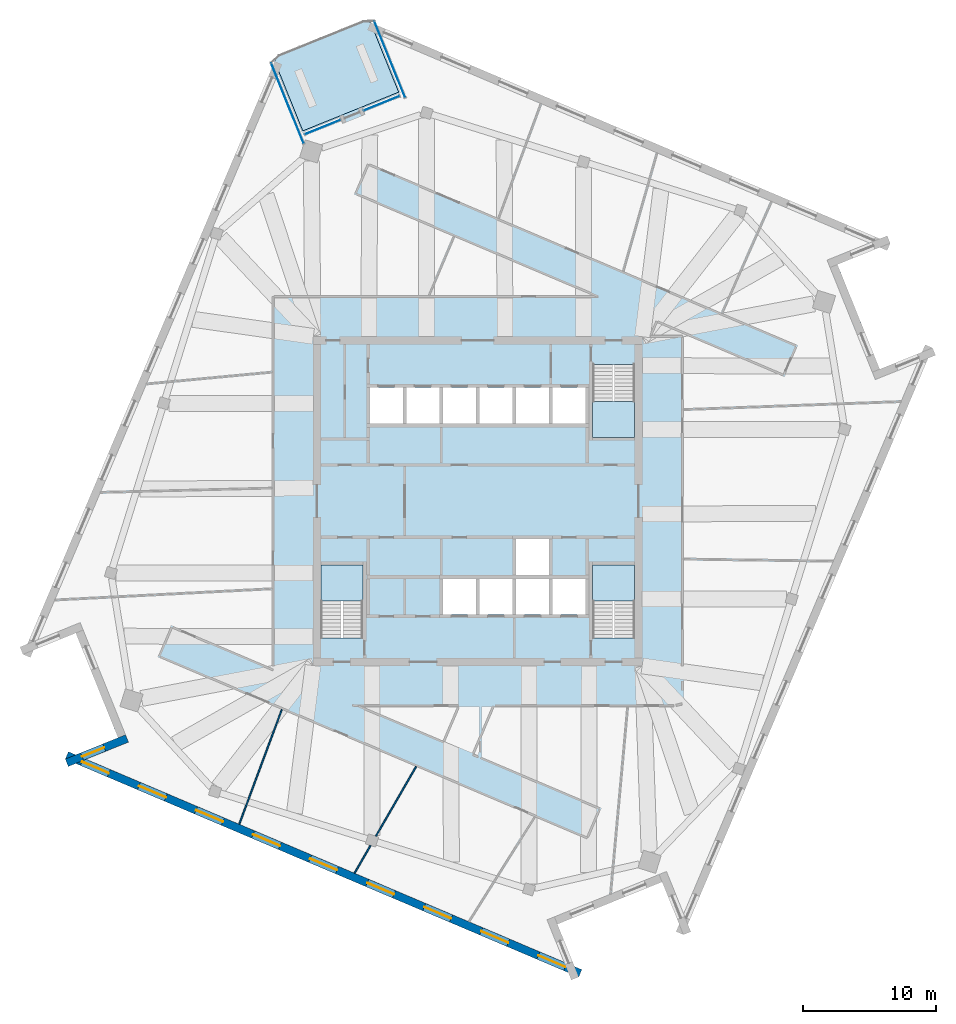
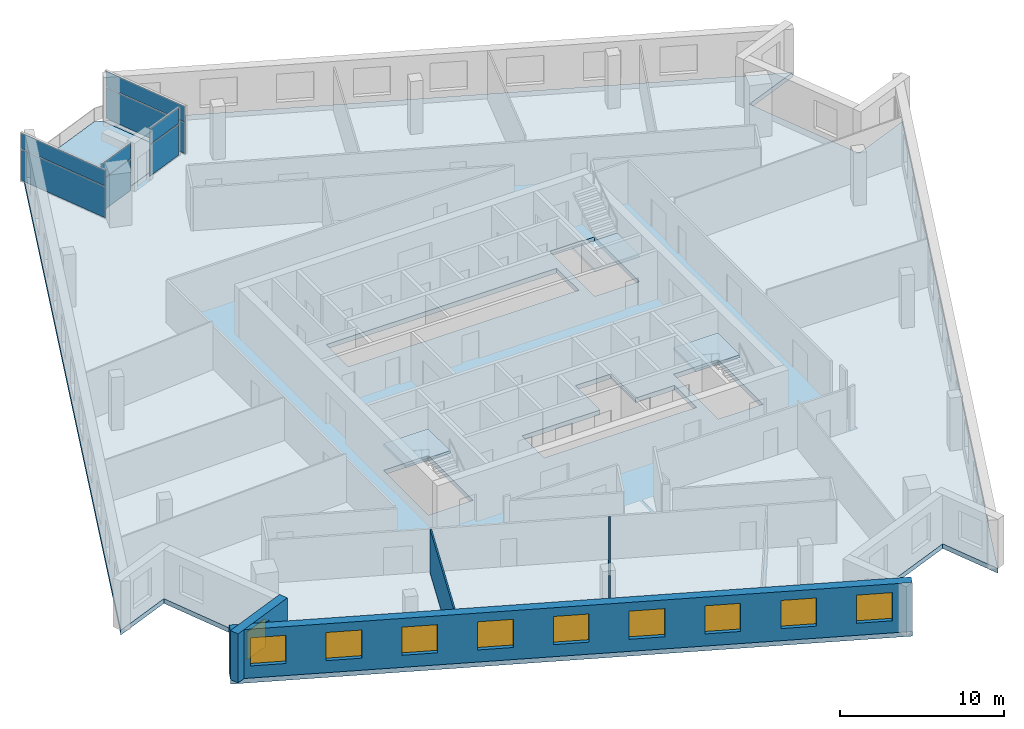
# One storey, part 5 of 13: 10 windows, 8 plates, 5 slabs, 5 walls, 10 openings, 7 elements without a shape of their own.
"""IFC4 building model written with IfcOpenShell, lengths in metres."""

from ifc_helpers import new_model, si_unit, direction, frame, frame_2d, origin, origin_2d, place, context, subcontext, project, spatial, polyline, rectangle, outline, extrude, material, layer, layer_set, type_object, element, fill, aggregate, save


model = new_model("IFC4")

# Units and contexts
model_context = context("Model", 3, precision=1e-05, world=origin(), true_north=direction((0.0, 1.0)))
body_context = subcontext(model_context, "Body", "Model", "MODEL_VIEW")
ifc_project = project(units=[si_unit("LENGTHUNIT", "METRE"), si_unit("AREAUNIT", "SQUARE_METRE"), si_unit("VOLUMEUNIT", "CUBIC_METRE"), si_unit("PLANEANGLEUNIT", "RADIAN"), si_unit("MASSUNIT", "GRAM", prefix="KILO")], contexts=[model_context])

# Site, building, storey
site_placement = place(None, origin())
site = spatial("IfcSite", under=ifc_project, at=site_placement, CompositionType="ELEMENT")
building_placement = place(site_placement, origin())
building = spatial("IfcBuilding", under=site, at=building_placement, Name="Dilmun Exchange Tower", CompositionType="ELEMENT")
storey_placement = place(building_placement, frame((0.0, 0.0, 300.5)))
storey = spatial("IfcBuildingStorey", under=building, at=storey_placement, Name="L71", CompositionType="ELEMENT", Elevation=300.5)

# Stair, slab
ifc_material_1 = material(Name="Concrete C40/50", Category="concrete")
stair_type = type_object("IfcStairType", Name="Exit stair 1500 half-turn", PredefinedType="HALF_TURN_STAIR", material=ifc_material_1)
stair_1_placement = place(storey_placement, origin())
stair_1 = element("IfcStair", 1, at=stair_1_placement, inside=storey, type_object=stair_type, Name="L71 Protected exit stair ST1", PredefinedType="HALF_TURN_STAIR")
ifc_layer_1 = layer(ifc_material_1, 0.199951171875)
ifc_layer_set_1 = layer_set([ifc_layer_1], Name="Concrete C40/50")
slab_type_1 = type_object("IfcSlabType", Name="Exit stair landing 200", PredefinedType="LANDING", material=ifc_layer_set_1)
slab_1_placement = place(storey_placement, frame((0.0, 0.0, 1.800048828125)))
slab_1 = element("IfcSlab", 2, at=slab_1_placement, type_object=slab_type_1, Name="ST1 landing 1", PredefinedType="LANDING", context=body_context, shape_type="SweptSolid", body=[
    extrude(outline(polyline([(8.64990234375, 7.5), (8.64990234375, 4.800048828125), (11.800048828125, 4.800048828125), (11.800048828125, 7.5), (8.64990234375, 7.5)])), origin(), (0.0, 0.0, 1.0), 0.199951171875),
])
aggregate(stair_1, [slab_1])

stair_2_placement = place(storey_placement, origin())
stair_2 = element("IfcStair", 3, at=stair_2_placement, inside=storey, type_object=stair_type, Name="L71 Protected exit stair ST2", PredefinedType="HALF_TURN_STAIR")
slab_2_placement = place(storey_placement, frame((0.0, 0.0, 1.800048828125)))
slab_2 = element("IfcSlab", 4, at=slab_2_placement, type_object=slab_type_1, Name="ST2 landing 1", PredefinedType="LANDING", context=body_context, shape_type="SweptSolid", body=[
    extrude(outline(polyline([(-8.64990234375, -7.5), (-8.64990234375, -4.800048828125), (-11.800048828125, -4.800048828125), (-11.800048828125, -7.5), (-8.64990234375, -7.5)])), origin(), (0.0, 0.0, 1.0), 0.199951171875),
])
aggregate(stair_2, [slab_2])

stair_3_placement = place(storey_placement, origin())
stair_3 = element("IfcStair", 5, at=stair_3_placement, inside=storey, type_object=stair_type, Name="L71 Protected exit stair ST3", PredefinedType="HALF_TURN_STAIR")
slab_3_placement = place(storey_placement, frame((0.0, 0.0, 1.800048828125)))
slab_3 = element("IfcSlab", 6, at=slab_3_placement, type_object=slab_type_1, Name="ST3 landing 1", PredefinedType="LANDING", context=body_context, shape_type="SweptSolid", body=[
    extrude(outline(polyline([(11.800048828125, -7.5), (11.800048828125, -4.800048828125), (8.64990234375, -4.800048828125), (8.64990234375, -7.5), (11.800048828125, -7.5)])), origin(), (0.0, 0.0, 1.0), 0.199951171875),
])
aggregate(stair_3, [slab_3])

# Curtain wall, plates
ifc_material_2 = material(Name="Anodised aluminium and clear glass", Category="aluminium")
curtain_wall_type = type_object("IfcCurtainWallType", Name="Garden corner glazing", PredefinedType="NOTDEFINED", material=ifc_material_2)
curtain_wall_1_placement = place(storey_placement, origin())
curtain_wall_1 = element("IfcCurtainWall", 7, at=curtain_wall_1_placement, inside=storey, type_object=curtain_wall_type, Name="Garden corner glazing run GC1.1", PredefinedType="NOTDEFINED")
ifc_material_3 = material(Name="Clear glass", Category="glass")
ifc_layer_2 = layer(ifc_material_3, 0.028076171875)
ifc_layer_set_2 = layer_set([ifc_layer_2], Name="Clear glass")
plate_type = type_object("IfcPlateType", Name="Garden corner glazing glass panel 28", PredefinedType="CURTAIN_PANEL", material=ifc_layer_set_2)
plate_1_placement = place(storey_placement, frame((-6.620849609375, 33.232421875, 0.06005859375), z_axis=(0.0, 0.0, 1.0), x_axis=(0.374612333812, -0.927181535276, 0.0)))
plate_1 = element("IfcPlate", 8, at=plate_1_placement, type_object=plate_type, Name="GC1.1 panel 1.1", PredefinedType="CURTAIN_PANEL", context=body_context, shape_type="SweptSolid", body=[
    extrude(rectangle(XDim=6.12646484375, YDim=0.028076171875, at=origin_2d()), origin(), (0.0, 0.0, 1.0), 2.31005859375),
])
plate_2_placement = place(storey_placement, frame((-6.620849609375, 33.232421875, 2.43017578125), z_axis=(0.0, 0.0, 1.0), x_axis=(0.374612333812, -0.927181535276, 0.0)))
plate_2 = element("IfcPlate", 9, at=plate_2_placement, type_object=plate_type, Name="GC1.1 panel 1.2", PredefinedType="CURTAIN_PANEL", context=body_context, shape_type="SweptSolid", body=[
    extrude(rectangle(XDim=6.12646484375, YDim=0.028076171875, at=origin_2d()), origin(), (0.0, 0.0, 1.0), 1.159912109375),
])
aggregate(curtain_wall_1, [plate_1, plate_2])

curtain_wall_2_placement = place(storey_placement, origin())
curtain_wall_2 = element("IfcCurtainWall", 10, at=curtain_wall_2_placement, inside=storey, type_object=curtain_wall_type, Name="Garden corner glazing run GC2.1", PredefinedType="NOTDEFINED")
plate_3_placement = place(storey_placement, frame((-7.22705078125, 29.942626953125, 0.06005859375), z_axis=(0.0, 0.0, 1.0), x_axis=(-0.927190673429, -0.374589715698, 0.0)))
plate_3 = element("IfcPlate", 11, at=plate_3_placement, type_object=plate_type, Name="GC2.1 panel 1.1", PredefinedType="CURTAIN_PANEL", context=body_context, shape_type="SweptSolid", body=[
    extrude(rectangle(XDim=2.869140625, YDim=0.028076171875, at=origin_2d()), origin(), (0.0, 0.0, 1.0), 2.31005859375),
])
plate_4_placement = place(storey_placement, frame((-7.22705078125, 29.942626953125, 2.43017578125), z_axis=(0.0, 0.0, 1.0), x_axis=(-0.927190673429, -0.374589715698, 0.0)))
plate_4 = element("IfcPlate", 12, at=plate_4_placement, type_object=plate_type, Name="GC2.1 panel 1.2", PredefinedType="CURTAIN_PANEL", context=body_context, shape_type="SweptSolid", body=[
    extrude(rectangle(XDim=2.869140625, YDim=0.028076171875, at=origin_2d()), origin(), (0.0, 0.0, 1.0), 1.159912109375),
])
aggregate(curtain_wall_2, [plate_3, plate_4])

curtain_wall_3_placement = place(storey_placement, origin())
curtain_wall_3 = element("IfcCurtainWall", 13, at=curtain_wall_3_placement, inside=storey, type_object=curtain_wall_type, Name="Garden corner glazing run GC2.3", PredefinedType="NOTDEFINED")
plate_5_placement = place(storey_placement, frame((-11.66748046875, 28.1484375, 0.06005859375), z_axis=(0.0, 0.0, 1.0), x_axis=(-0.92718597897, -0.374601335291, 0.0)))
plate_5 = element("IfcPlate", 14, at=plate_5_placement, type_object=plate_type, Name="GC2.3 panel 1.1", PredefinedType="CURTAIN_PANEL", context=body_context, shape_type="SweptSolid", body=[
    extrude(rectangle(XDim=2.869140625, YDim=0.028076171875, at=origin_2d()), origin(), (0.0, 0.0, 1.0), 2.31005859375),
])
plate_6_placement = place(storey_placement, frame((-11.66748046875, 28.1484375, 2.43017578125), z_axis=(0.0, 0.0, 1.0), x_axis=(-0.92718597897, -0.374601335291, 0.0)))
plate_6 = element("IfcPlate", 15, at=plate_6_placement, type_object=plate_type, Name="GC2.3 panel 1.2", PredefinedType="CURTAIN_PANEL", context=body_context, shape_type="SweptSolid", body=[
    extrude(rectangle(XDim=2.869140625, YDim=0.028076171875, at=origin_2d()), origin(), (0.0, 0.0, 1.0), 1.159912109375),
])
aggregate(curtain_wall_3, [plate_5, plate_6])

curtain_wall_4_placement = place(storey_placement, origin())
curtain_wall_4 = element("IfcCurtainWall", 16, at=curtain_wall_4_placement, inside=storey, type_object=curtain_wall_type, Name="Garden corner glazing run GC3.1", PredefinedType="NOTDEFINED")
plate_7_placement = place(storey_placement, frame((-14.322509765625, 29.9296875, 0.06005859375), z_axis=(0.0, 0.0, 1.0), x_axis=(-0.374614342415, 0.92718072373, 0.0)))
plate_7 = element("IfcPlate", 17, at=plate_7_placement, type_object=plate_type, Name="GC3.1 panel 1.1", PredefinedType="CURTAIN_PANEL", context=body_context, shape_type="SweptSolid", body=[
    extrude(rectangle(XDim=6.480712890625, YDim=0.028076171875, at=origin_2d()), origin(), (0.0, 0.0, 1.0), 2.31005859375),
])
plate_8_placement = place(storey_placement, frame((-14.322509765625, 29.9296875, 2.43017578125), z_axis=(0.0, 0.0, 1.0), x_axis=(-0.374614342415, 0.92718072373, 0.0)))
plate_8 = element("IfcPlate", 18, at=plate_8_placement, type_object=plate_type, Name="GC3.1 panel 1.2", PredefinedType="CURTAIN_PANEL", context=body_context, shape_type="SweptSolid", body=[
    extrude(rectangle(XDim=6.480712890625, YDim=0.028076171875, at=origin_2d()), origin(), (0.0, 0.0, 1.0), 1.159912109375),
])
aggregate(curtain_wall_4, [plate_7, plate_8])

# Slabs
ifc_layer_3 = layer(ifc_material_1, 0.35009765625)
ifc_layer_set_3 = layer_set([ifc_layer_3], Name="Concrete C40/50")
slab_type_2 = type_object("IfcSlabType", Name="RC floor slab 350", PredefinedType="FLOOR", material=ifc_layer_set_3)
slab_4_placement = place(storey_placement, frame((0.0, 0.0, -0.35009765625)))
element("IfcSlab", 19, at=slab_4_placement, inside=storey, type_object=slab_type_2, Name="Floor slab", PredefinedType="FLOOR", context=body_context, shape_type="SweptSolid", body=[
    extrude(outline(polyline([(27.069580078125, 17.80859375), (30.253662109375, 9.927490234375), (34.22705078125, 11.53271484375), (15.480224609375, -32.63232421875), (13.874755859375, -28.65869140625), (5.99365234375, -31.843017578125), (7.59912109375, -35.81640625), (-31.04296875, -19.413818359375), (-27.069580078125, -17.80859375), (-30.253662109375, -9.927490234375), (-34.22705078125, -11.53271484375), (-15.28076171875, 33.10205078125), (-13.16552734375, 27.86669921875), (-5.95361328125, 30.780517578125), (-8.06884765625, 36.015869140625), (31.04296875, 19.413818359375), (27.069580078125, 17.80859375)]), holes=[polyline([(-8.64990234375, -4.800048828125), (-11.800048828125, -4.800048828125), (-11.800048828125, -10.294921875), (-8.64990234375, -10.294921875), (-8.64990234375, -4.800048828125)]), polyline([(11.800048828125, -4.800048828125), (8.64990234375, -4.800048828125), (8.64990234375, -10.294921875), (11.800048828125, -10.294921875), (11.800048828125, -4.800048828125)]), polyline([(2.875, -5.85009765625), (-2.625, -5.85009765625), (-2.625, -8.550048828125), (8.125, -8.550048828125), (8.125, -5.85009765625), (5.375, -5.85009765625), (5.375, -2.85009765625), (2.875, -2.85009765625), (2.875, -5.85009765625)]), polyline([(8.125, 5.85009765625), (8.125, 8.550048828125), (-8.125, 8.550048828125), (-8.125, 5.85009765625), (8.125, 5.85009765625)]), polyline([(8.64990234375, 10.294921875), (8.64990234375, 4.800048828125), (11.800048828125, 4.800048828125), (11.800048828125, 10.294921875), (8.64990234375, 10.294921875)])]), origin(), (0.0, 0.0, 1.0), 0.35009765625),
])
ifc_layer_4 = layer(ifc_material_1, 0.300048828125)
ifc_layer_set_4 = layer_set([ifc_layer_4], Name="Concrete C40/50")
slab_type_3 = type_object("IfcSlabType", Name="RC garden terrace slab 300", PredefinedType="FLOOR", material=ifc_layer_set_4)
slab_5_placement = place(storey_placement, frame((0.0, 0.0, -0.300048828125)))
element("IfcSlab", 20, at=slab_5_placement, inside=storey, type_object=slab_type_3, Name="Garden terrace slab", PredefinedType="FLOOR", context=body_context, shape_type="SweptSolid", body=[
    extrude(outline(polyline([(-13.16552734375, 27.86669921875), (-15.28076171875, 33.10205078125), (-15.08544921875, 33.5625), (-8.529296875, 36.211181640625), (-8.06884765625, 36.015869140625), (-5.95361328125, 30.780517578125), (-13.16552734375, 27.86669921875)])), origin(), (0.0, 0.0, 1.0), 0.300048828125),
])

# Walls
ifc_material_4 = material(Name="Partition 100")
ifc_layer_5 = layer(ifc_material_4, 0.10009765625)
ifc_layer_set_5 = layer_set([ifc_layer_5], Name="Partition 100")
wall_type_1 = type_object("IfcWallType", Name="Partition 100", PredefinedType="PARTITIONING", material=ifc_layer_set_5)
wall_1_placement = place(storey_placement, frame((-17.9521484375, -24.316650390625, 0.0), z_axis=(0.0, 0.0, 1.0), x_axis=(0.348014202779, 0.937489261093, 0.0)))
element("IfcWall", 21, at=wall_1_placement, inside=storey, type_object=wall_type_1, Name="Partition", PredefinedType="PARTITIONING", context=body_context, shape_type="SweptSolid", body=[
    extrude(rectangle(XDim=9.213134765625, YDim=0.10009765625, at=frame_2d((4.6064453125, 0.0))), origin(), (0.0, 0.0, 1.0), 3.25),
])
wall_2_placement = place(storey_placement, frame((-9.272705078125, -28.000732421875, 0.0), z_axis=(0.0, 0.0, 1.0), x_axis=(0.500153880086, 0.865936542845, 0.0)))
element("IfcWall", 22, at=wall_2_placement, inside=storey, type_object=wall_type_1, Name="Partition", PredefinedType="PARTITIONING", context=body_context, shape_type="SweptSolid", body=[
    extrude(rectangle(XDim=2.400146484375, YDim=0.10009765625, at=frame_2d((1.2001953125, 0.0))), origin(), (0.0, 0.0, 1.0), 3.64990234375),
])
wall_3_placement = place(storey_placement, frame((-7.662109375, -25.212158203125, 0.0), z_axis=(0.0, 0.0, 1.0), x_axis=(0.500102086133, 0.865966456305, 0.0)))
element("IfcWall", 23, at=wall_3_placement, inside=storey, type_object=wall_type_1, Name="Partition", PredefinedType="PARTITIONING", context=body_context, shape_type="SweptSolid", body=[
    extrude(rectangle(XDim=6.049072265625, YDim=0.10009765625, at=frame_2d((3.0244140625, 0.0))), origin(), (0.0, 0.0, 1.0), 3.25),
])

# Wall, opening, window
ifc_material_5 = material(Name="Precast concrete C50/60", Category="concrete")
ifc_layer_6 = layer(ifc_material_5, 0.60009765625)
ifc_layer_set_6 = layer_set([ifc_layer_6], Name="Precast concrete C50/60")
wall_type_2 = type_object("IfcWallType", Name="Precast stone-clad wall 600", PredefinedType="STANDARD", material=ifc_layer_set_6)
wall_4_placement = place(storey_placement, frame((-26.40087890625, -17.86181640625, 0.0), z_axis=(0.0, 0.0, 1.0), x_axis=(-0.927189106571, -0.374593593988, 0.0)))
wall_4 = element("IfcWall", 24, at=wall_4_placement, inside=storey, type_object=wall_type_2, Name="Facade wall L71-06", PredefinedType="STANDARD", context=body_context, shape_type="SweptSolid", body=[
    extrude(rectangle(XDim=4.885498046875, YDim=0.60009765625, at=frame_2d((2.44287109375, 0.0))), origin(), (0.0, 0.0, 1.0), 3.64990234375),
])
opening_1_placement = place(wall_4_placement, frame((1.8427734375, 0.0, 0.89990234375)))
opening_1 = element("IfcOpeningElement", 25, at=opening_1_placement, cuts=wall_4, Name="Opening W180-210", PredefinedType="OPENING", context=body_context, shape_type="SweptSolid", body=[
    extrude(rectangle(XDim=1.800048828125, YDim=2.10009765625, at=frame_2d((0.89990234375, 1.050048828125))), frame((0.0, 0.31005859375, 0.0), z_axis=(0.0, -1.0, 0.0), x_axis=(1.0, 0.0, 0.0)), (0.0, 0.0, 1.0), 0.6201171875),
])
ifc_material_6 = material(Name="Clear low-emissivity glass in aluminium frame", Category="aluminium")
window_type_1 = type_object("IfcWindowType", Name="Punched window 1800 x 2100", PartitioningType="DOUBLE_PANEL_VERTICAL", PredefinedType="WINDOW", material=ifc_material_6)
window_1_placement = place(opening_1_placement, origin())
window_1 = element("IfcWindow", 26, at=window_1_placement, inside=storey, type_object=window_type_1, Name="Window 7.1", OverallHeight=2.10009765625, OverallWidth=1.800048828125, PartitioningType="SINGLE_PANEL", PredefinedType="WINDOW", context=body_context, shape_type="SweptSolid", body=[
    extrude(rectangle(XDim=1.800048828125, YDim=2.10009765625, at=frame_2d((0.89990234375, 1.050048828125))), frame((0.0, 0.030029296875, 0.0), z_axis=(0.0, -1.0, 0.0), x_axis=(1.0, 0.0, 0.0)), (0.0, 0.0, 1.0), 0.06005859375),
])
fill(opening_1, window_1)

# Wall, openings, windows
wall_5_placement = place(storey_placement, frame((-30.92578125, -19.1376953125, 0.0), z_axis=(0.0, 0.0, 1.0), x_axis=(0.920504905663, -0.39073100549, 0.0)))
wall_5 = element("IfcWall", 27, at=wall_5_placement, inside=storey, type_object=wall_type_2, Name="Facade wall L71-07", PredefinedType="STANDARD", context=body_context, shape_type="SweptSolid", body=[
    extrude(rectangle(XDim=41.979248046875, YDim=0.60009765625, at=frame_2d((20.98974609375, 0.0))), origin(), (0.0, 0.0, 1.0), 3.64990234375),
])
opening_2_placement = place(wall_5_placement, frame((1.232177734375, 0.0, 0.89990234375)))
opening_2 = element("IfcOpeningElement", 28, at=opening_2_placement, cuts=wall_5, Name="Opening W220-210", PredefinedType="OPENING", context=body_context, shape_type="SweptSolid", body=[
    extrude(rectangle(XDim=2.199951171875, YDim=2.10009765625, at=frame_2d((1.10009765625, 1.050048828125))), frame((0.0, 0.31005859375, 0.0), z_axis=(0.0, -1.0, 0.0), x_axis=(1.0, 0.0, 0.0)), (0.0, 0.0, 1.0), 0.6201171875),
])
opening_3_placement = place(wall_5_placement, frame((5.896484375, 0.0, 0.89990234375)))
opening_3 = element("IfcOpeningElement", 29, at=opening_3_placement, cuts=wall_5, Name="Opening W220-210", PredefinedType="OPENING", context=body_context, shape_type="SweptSolid", body=[
    extrude(rectangle(XDim=2.199951171875, YDim=2.10009765625, at=frame_2d((1.10009765625, 1.050048828125))), frame((0.0, 0.31005859375, 0.0), z_axis=(0.0, -1.0, 0.0), x_axis=(1.0, 0.0, 0.0)), (0.0, 0.0, 1.0), 0.6201171875),
])
opening_4_placement = place(wall_5_placement, frame((10.560791015625, 0.0, 0.89990234375)))
opening_4 = element("IfcOpeningElement", 30, at=opening_4_placement, cuts=wall_5, Name="Opening W220-210", PredefinedType="OPENING", context=body_context, shape_type="SweptSolid", body=[
    extrude(rectangle(XDim=2.199951171875, YDim=2.10009765625, at=frame_2d((1.10009765625, 1.050048828125))), frame((0.0, 0.31005859375, 0.0), z_axis=(0.0, -1.0, 0.0), x_axis=(1.0, 0.0, 0.0)), (0.0, 0.0, 1.0), 0.6201171875),
])
opening_5_placement = place(wall_5_placement, frame((15.22509765625, 0.0, 0.89990234375)))
opening_5 = element("IfcOpeningElement", 31, at=opening_5_placement, cuts=wall_5, Name="Opening W220-210", PredefinedType="OPENING", context=body_context, shape_type="SweptSolid", body=[
    extrude(rectangle(XDim=2.199951171875, YDim=2.10009765625, at=frame_2d((1.10009765625, 1.050048828125))), frame((0.0, 0.31005859375, 0.0), z_axis=(0.0, -1.0, 0.0), x_axis=(1.0, 0.0, 0.0)), (0.0, 0.0, 1.0), 0.6201171875),
])
opening_6_placement = place(wall_5_placement, frame((19.8896484375, 0.0, 0.89990234375)))
opening_6 = element("IfcOpeningElement", 32, at=opening_6_placement, cuts=wall_5, Name="Opening W220-210", PredefinedType="OPENING", context=body_context, shape_type="SweptSolid", body=[
    extrude(rectangle(XDim=2.199951171875, YDim=2.10009765625, at=frame_2d((1.10009765625, 1.050048828125))), frame((0.0, 0.31005859375, 0.0), z_axis=(0.0, -1.0, 0.0), x_axis=(1.0, 0.0, 0.0)), (0.0, 0.0, 1.0), 0.6201171875),
])
opening_7_placement = place(wall_5_placement, frame((24.553955078125, 0.0, 0.89990234375)))
opening_7 = element("IfcOpeningElement", 33, at=opening_7_placement, cuts=wall_5, Name="Opening W220-210", PredefinedType="OPENING", context=body_context, shape_type="SweptSolid", body=[
    extrude(rectangle(XDim=2.199951171875, YDim=2.10009765625, at=frame_2d((1.10009765625, 1.050048828125))), frame((0.0, 0.31005859375, 0.0), z_axis=(0.0, -1.0, 0.0), x_axis=(1.0, 0.0, 0.0)), (0.0, 0.0, 1.0), 0.6201171875),
])
opening_8_placement = place(wall_5_placement, frame((29.21826171875, 0.0, 0.89990234375)))
opening_8 = element("IfcOpeningElement", 34, at=opening_8_placement, cuts=wall_5, Name="Opening W220-210", PredefinedType="OPENING", context=body_context, shape_type="SweptSolid", body=[
    extrude(rectangle(XDim=2.199951171875, YDim=2.10009765625, at=frame_2d((1.10009765625, 1.050048828125))), frame((0.0, 0.31005859375, 0.0), z_axis=(0.0, -1.0, 0.0), x_axis=(1.0, 0.0, 0.0)), (0.0, 0.0, 1.0), 0.6201171875),
])
opening_9_placement = place(wall_5_placement, frame((33.8828125, 0.0, 0.89990234375)))
opening_9 = element("IfcOpeningElement", 35, at=opening_9_placement, cuts=wall_5, Name="Opening W220-210", PredefinedType="OPENING", context=body_context, shape_type="SweptSolid", body=[
    extrude(rectangle(XDim=2.199951171875, YDim=2.10009765625, at=frame_2d((1.10009765625, 1.050048828125))), frame((0.0, 0.31005859375, 0.0), z_axis=(0.0, -1.0, 0.0), x_axis=(1.0, 0.0, 0.0)), (0.0, 0.0, 1.0), 0.6201171875),
])
opening_10_placement = place(wall_5_placement, frame((38.547119140625, 0.0, 0.89990234375)))
opening_10 = element("IfcOpeningElement", 36, at=opening_10_placement, cuts=wall_5, Name="Opening W220-210", PredefinedType="OPENING", context=body_context, shape_type="SweptSolid", body=[
    extrude(rectangle(XDim=2.199951171875, YDim=2.10009765625, at=frame_2d((1.10009765625, 1.050048828125))), frame((0.0, 0.31005859375, 0.0), z_axis=(0.0, -1.0, 0.0), x_axis=(1.0, 0.0, 0.0)), (0.0, 0.0, 1.0), 0.6201171875),
])
window_type_2 = type_object("IfcWindowType", Name="Punched window 2200 x 2100", PartitioningType="DOUBLE_PANEL_VERTICAL", PredefinedType="WINDOW", material=ifc_material_6)
window_2_placement = place(opening_2_placement, origin())
window_2 = element("IfcWindow", 37, at=window_2_placement, inside=storey, type_object=window_type_2, Name="Window 8.1", OverallHeight=2.10009765625, OverallWidth=2.199951171875, PartitioningType="SINGLE_PANEL", PredefinedType="WINDOW", context=body_context, shape_type="SweptSolid", body=[
    extrude(rectangle(XDim=2.199951171875, YDim=2.10009765625, at=frame_2d((1.10009765625, 1.050048828125))), frame((0.0, 0.030029296875, 0.0), z_axis=(0.0, -1.0, 0.0), x_axis=(1.0, 0.0, 0.0)), (0.0, 0.0, 1.0), 0.06005859375),
])
fill(opening_2, window_2)
window_3_placement = place(opening_3_placement, origin())
window_3 = element("IfcWindow", 38, at=window_3_placement, inside=storey, type_object=window_type_2, Name="Window 8.2", OverallHeight=2.10009765625, OverallWidth=2.199951171875, PartitioningType="SINGLE_PANEL", PredefinedType="WINDOW", context=body_context, shape_type="SweptSolid", body=[
    extrude(rectangle(XDim=2.199951171875, YDim=2.10009765625, at=frame_2d((1.10009765625, 1.050048828125))), frame((0.0, 0.030029296875, 0.0), z_axis=(0.0, -1.0, 0.0), x_axis=(1.0, 0.0, 0.0)), (0.0, 0.0, 1.0), 0.06005859375),
])
fill(opening_3, window_3)
window_4_placement = place(opening_4_placement, origin())
window_4 = element("IfcWindow", 39, at=window_4_placement, inside=storey, type_object=window_type_2, Name="Window 8.3", OverallHeight=2.10009765625, OverallWidth=2.199951171875, PartitioningType="SINGLE_PANEL", PredefinedType="WINDOW", context=body_context, shape_type="SweptSolid", body=[
    extrude(rectangle(XDim=2.199951171875, YDim=2.10009765625, at=frame_2d((1.10009765625, 1.050048828125))), frame((0.0, 0.030029296875, 0.0), z_axis=(0.0, -1.0, 0.0), x_axis=(1.0, 0.0, 0.0)), (0.0, 0.0, 1.0), 0.06005859375),
])
fill(opening_4, window_4)
window_5_placement = place(opening_5_placement, origin())
window_5 = element("IfcWindow", 40, at=window_5_placement, inside=storey, type_object=window_type_2, Name="Window 8.4", OverallHeight=2.10009765625, OverallWidth=2.199951171875, PartitioningType="SINGLE_PANEL", PredefinedType="WINDOW", context=body_context, shape_type="SweptSolid", body=[
    extrude(rectangle(XDim=2.199951171875, YDim=2.10009765625, at=frame_2d((1.10009765625, 1.050048828125))), frame((0.0, 0.030029296875, 0.0), z_axis=(0.0, -1.0, 0.0), x_axis=(1.0, 0.0, 0.0)), (0.0, 0.0, 1.0), 0.06005859375),
])
fill(opening_5, window_5)
window_6_placement = place(opening_6_placement, origin())
window_6 = element("IfcWindow", 41, at=window_6_placement, inside=storey, type_object=window_type_2, Name="Window 8.5", OverallHeight=2.10009765625, OverallWidth=2.199951171875, PartitioningType="SINGLE_PANEL", PredefinedType="WINDOW", context=body_context, shape_type="SweptSolid", body=[
    extrude(rectangle(XDim=2.199951171875, YDim=2.10009765625, at=frame_2d((1.10009765625, 1.050048828125))), frame((0.0, 0.030029296875, 0.0), z_axis=(0.0, -1.0, 0.0), x_axis=(1.0, 0.0, 0.0)), (0.0, 0.0, 1.0), 0.06005859375),
])
fill(opening_6, window_6)
window_7_placement = place(opening_7_placement, origin())
window_7 = element("IfcWindow", 42, at=window_7_placement, inside=storey, type_object=window_type_2, Name="Window 8.6", OverallHeight=2.10009765625, OverallWidth=2.199951171875, PartitioningType="SINGLE_PANEL", PredefinedType="WINDOW", context=body_context, shape_type="SweptSolid", body=[
    extrude(rectangle(XDim=2.199951171875, YDim=2.10009765625, at=frame_2d((1.10009765625, 1.050048828125))), frame((0.0, 0.030029296875, 0.0), z_axis=(0.0, -1.0, 0.0), x_axis=(1.0, 0.0, 0.0)), (0.0, 0.0, 1.0), 0.06005859375),
])
fill(opening_7, window_7)
window_8_placement = place(opening_8_placement, origin())
window_8 = element("IfcWindow", 43, at=window_8_placement, inside=storey, type_object=window_type_2, Name="Window 8.7", OverallHeight=2.10009765625, OverallWidth=2.199951171875, PartitioningType="SINGLE_PANEL", PredefinedType="WINDOW", context=body_context, shape_type="SweptSolid", body=[
    extrude(rectangle(XDim=2.199951171875, YDim=2.10009765625, at=frame_2d((1.10009765625, 1.050048828125))), frame((0.0, 0.030029296875, 0.0), z_axis=(0.0, -1.0, 0.0), x_axis=(1.0, 0.0, 0.0)), (0.0, 0.0, 1.0), 0.06005859375),
])
fill(opening_8, window_8)
window_9_placement = place(opening_9_placement, origin())
window_9 = element("IfcWindow", 44, at=window_9_placement, inside=storey, type_object=window_type_2, Name="Window 8.8", OverallHeight=2.10009765625, OverallWidth=2.199951171875, PartitioningType="SINGLE_PANEL", PredefinedType="WINDOW", context=body_context, shape_type="SweptSolid", body=[
    extrude(rectangle(XDim=2.199951171875, YDim=2.10009765625, at=frame_2d((1.10009765625, 1.050048828125))), frame((0.0, 0.030029296875, 0.0), z_axis=(0.0, -1.0, 0.0), x_axis=(1.0, 0.0, 0.0)), (0.0, 0.0, 1.0), 0.06005859375),
])
fill(opening_9, window_9)
window_10_placement = place(opening_10_placement, origin())
window_10 = element("IfcWindow", 45, at=window_10_placement, inside=storey, type_object=window_type_2, Name="Window 8.9", OverallHeight=2.10009765625, OverallWidth=2.199951171875, PartitioningType="SINGLE_PANEL", PredefinedType="WINDOW", context=body_context, shape_type="SweptSolid", body=[
    extrude(rectangle(XDim=2.199951171875, YDim=2.10009765625, at=frame_2d((1.10009765625, 1.050048828125))), frame((0.0, 0.030029296875, 0.0), z_axis=(0.0, -1.0, 0.0), x_axis=(1.0, 0.0, 0.0)), (0.0, 0.0, 1.0), 0.06005859375),
])
fill(opening_10, window_10)

save(model, "model.ifc")
